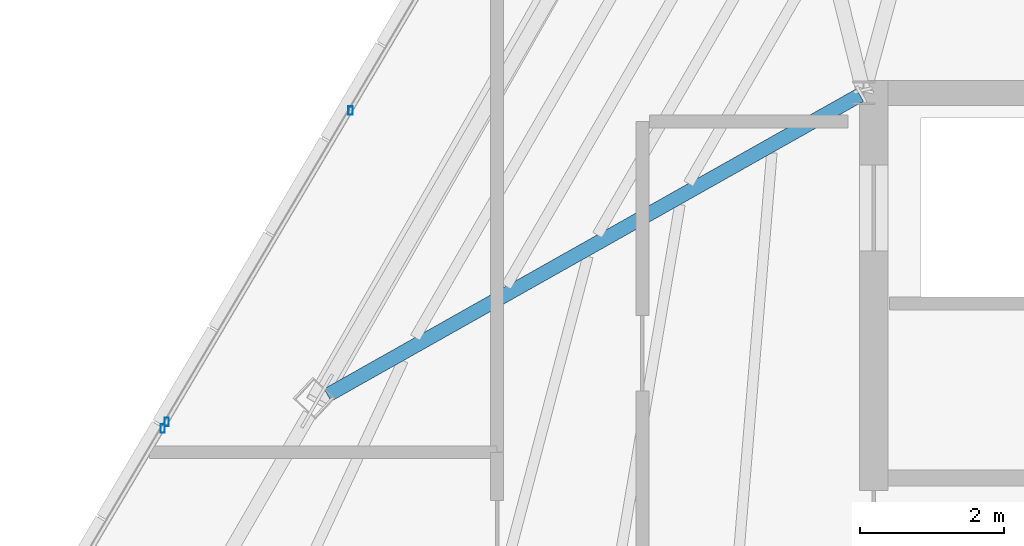
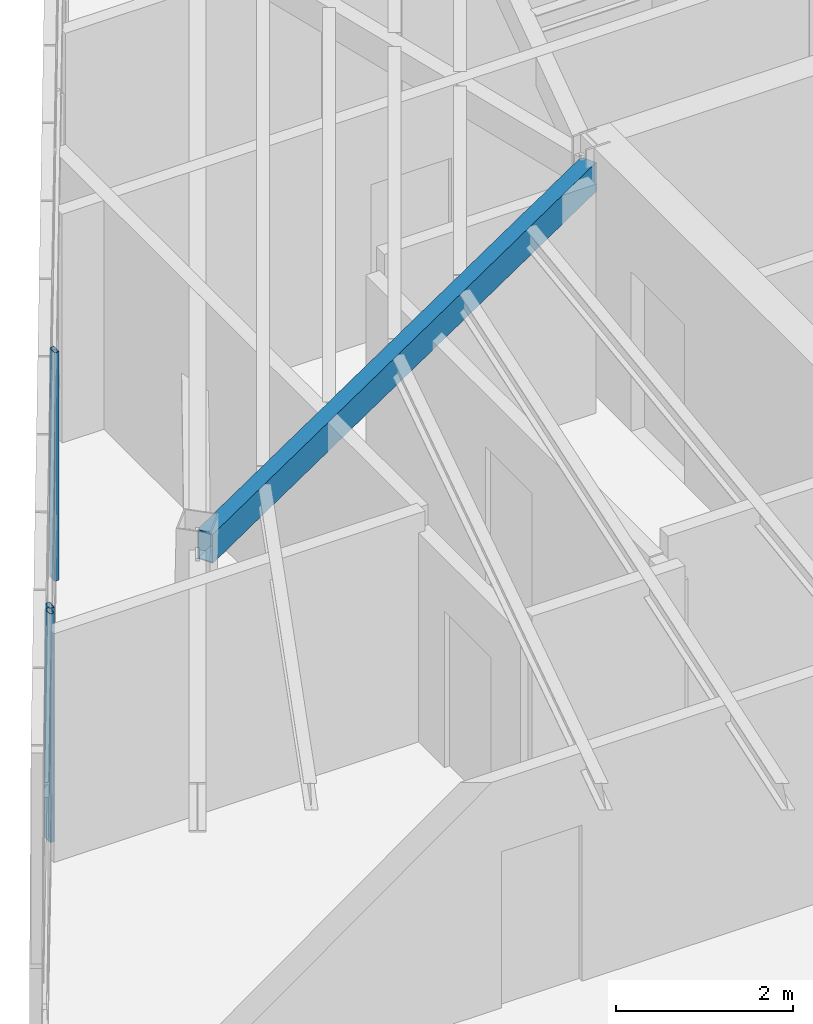
# One storey, part 17 of 44: 3 members, 1 beam, 2 elements without a shape of their own.
"""IFC4 building model written with IfcOpenShell, lengths in metres."""

from ifc_helpers import new_model, si_unit, direction, frame, origin, origin_2d, place, context, subcontext, project, spatial, hollow_rectangle, extrude, source, transform, mapped, material, material_profile, profile_set, type_object, type_shapes, element, aggregate, save


model = new_model("IFC4")

# Units and contexts
model_context = context("Model", 3, precision=1e-05, world=origin(), true_north=direction((0.0, 1.0)))
body_context = subcontext(model_context, "Body", "Model", "MODEL_VIEW")
ifc_project = project(units=[si_unit("LENGTHUNIT", "METRE"), si_unit("AREAUNIT", "SQUARE_METRE"), si_unit("VOLUMEUNIT", "CUBIC_METRE"), si_unit("PLANEANGLEUNIT", "RADIAN"), si_unit("MASSUNIT", "GRAM", prefix="KILO")], contexts=[model_context])

# Site, building, storey
site_placement = place(None, origin())
site = spatial("IfcSite", under=ifc_project, at=site_placement, CompositionType="ELEMENT")
building_placement = place(site_placement, origin())
building = spatial("IfcBuilding", under=site, at=building_placement, Name="Caelisora Broadcast Tower", CompositionType="ELEMENT")
storey_placement = place(building_placement, frame((0.0, 0.0, 289.800048828125)))
storey = spatial("IfcBuildingStorey", under=building, at=storey_placement, Name="L76", CompositionType="ELEMENT", Elevation=289.800048828125)

# Beam
ifc_material_1 = material(Name="Steel Grade 350 (AS/NZS 1163 C350L0)", Category="steel")
ifc_material_profile_1 = material_profile(ifc_material_1, hollow_rectangle(XDim=0.199951171875, YDim=0.39990234375, WallThickness=0.012451171875, at=origin_2d()), Name="Steel Grade 350 (AS/NZS 1163 C350L0)")
ifc_profile_set_1 = profile_set([ifc_material_profile_1], Name="Steel Grade 350 (AS/NZS 1163 C350L0)")
beam_type = type_object("IfcBeamType", Name="PG07", PredefinedType="BEAM", material=ifc_profile_set_1)
shared_shape_1 = source(origin(), body_context, "Body", "SweptSolid", [
    extrude(hollow_rectangle(XDim=0.199951171875, YDim=0.39990234375, WallThickness=0.012451171875, at=origin_2d()), origin(), (0.0, 0.0, 1.0), 8.50341796875),
])
type_shapes(beam_type, [shared_shape_1])
beam_placement = place(storey_placement, frame((30.44775390625, 29.970458984375, 2.949951171875), z_axis=(-0.871169625249, -0.490982162653, 0.0), x_axis=(0.490982162653, -0.871169625249, 0.0)))
element("IfcBeam", 1, at=beam_placement, inside=storey, type_object=beam_type, Name="L76 beam PG07", PredefinedType="BEAM", context=body_context, shape_type="MappedRepresentation", body=[
    mapped(shared_shape_1, transform((0.0, 0.0, 0.0), scale=1.0)),
])

# Curtain wall, member
ifc_material_2 = material(Name="Unitised Aluminium Insulated Shadow-Box Spandrel Curtain Wall", Category="aluminium")
curtain_wall_type = type_object("IfcCurtainWallType", Name="CW-SP3", PredefinedType="NOTDEFINED", material=ifc_material_2)
curtain_wall_1_placement = place(storey_placement, origin())
curtain_wall_1 = element("IfcCurtainWall", 2, at=curtain_wall_1_placement, inside=storey, type_object=curtain_wall_type, Name="L76 curtain wall CW-SP3", PredefinedType="NOTDEFINED")
ifc_material_3 = material(Name="Aluminium 6063-T6 Anodised Terracotta Bronze", Category="aluminium")
ifc_material_profile_2 = material_profile(ifc_material_3, hollow_rectangle(XDim=0.06005859375, YDim=0.1201171875, WallThickness=0.0029296875, at=origin_2d()), Name="Aluminium 6063-T6 Anodised Terracotta Bronze")
ifc_profile_set_2 = profile_set([ifc_material_profile_2], Name="Aluminium 6063-T6 Anodised Terracotta Bronze")
member_type = type_object("IfcMemberType", Name="CWM-04", PredefinedType="MULLION", material=ifc_profile_set_2)
shared_shape_2 = source(origin(), body_context, "Body", "SweptSolid", [
    extrude(hollow_rectangle(XDim=0.06005859375, YDim=0.1201171875, WallThickness=0.0029296875, at=origin_2d()), origin(), (0.0, 0.0, 1.0), 3.14990234375),
])
type_shapes(member_type, [shared_shape_2])
member_1_placement = place(storey_placement, frame((20.745361328125, 25.32861328125, 0.0), z_axis=(0.0, 0.0, 1.0), x_axis=(1.0, 0.0, 0.0)))
member_1 = element("IfcMember", 3, at=member_1_placement, type_object=member_type, Name="L76-CW-B09 mullion #3", PredefinedType="MULLION", context=body_context, shape_type="MappedRepresentation", body=[
    mapped(shared_shape_2, transform((0.0, 0.0, 0.0), scale=1.0)),
])
aggregate(curtain_wall_1, [member_1])

# Curtain wall, members
curtain_wall_2_placement = place(storey_placement, origin())
curtain_wall_2 = element("IfcCurtainWall", 4, at=curtain_wall_2_placement, inside=storey, type_object=curtain_wall_type, Name="L76 curtain wall CW-SP3", PredefinedType="NOTDEFINED")
member_2_placement = place(storey_placement, frame((20.80126953125, 25.42333984375, 0.0), z_axis=(0.0, 0.0, 1.0), x_axis=(1.0, 0.0, 0.0)))
member_2 = element("IfcMember", 5, at=member_2_placement, type_object=member_type, Name="L76-CW-B10 mullion #0", PredefinedType="MULLION", context=body_context, shape_type="MappedRepresentation", body=[
    mapped(shared_shape_2, transform((0.0, 0.0, 0.0), scale=1.0)),
])
member_3_placement = place(storey_placement, frame((23.3603515625, 29.75390625, 0.0), z_axis=(0.0, 0.0, 1.0), x_axis=(1.0, 0.0, 0.0)))
member_3 = element("IfcMember", 6, at=member_3_placement, type_object=member_type, Name="L76-CW-B10 mullion #1", PredefinedType="MULLION", context=body_context, shape_type="MappedRepresentation", body=[
    mapped(shared_shape_2, transform((0.0, 0.0, 0.0), scale=1.0)),
])
aggregate(curtain_wall_2, [member_2, member_3])

save(model, "model.ifc")
